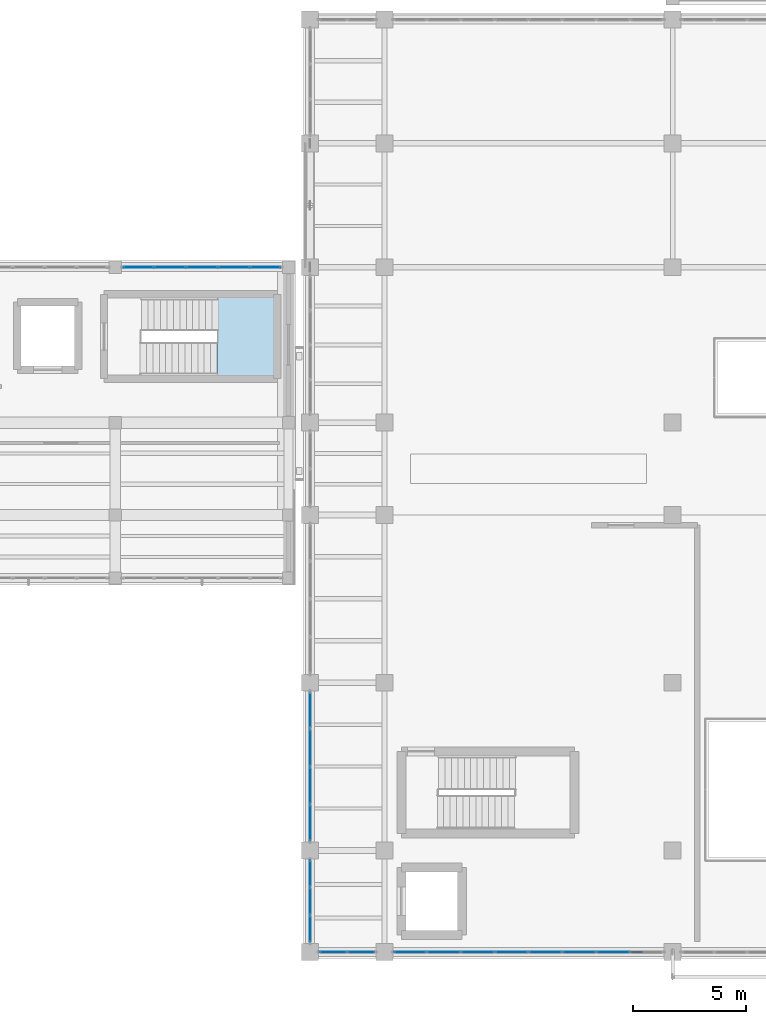
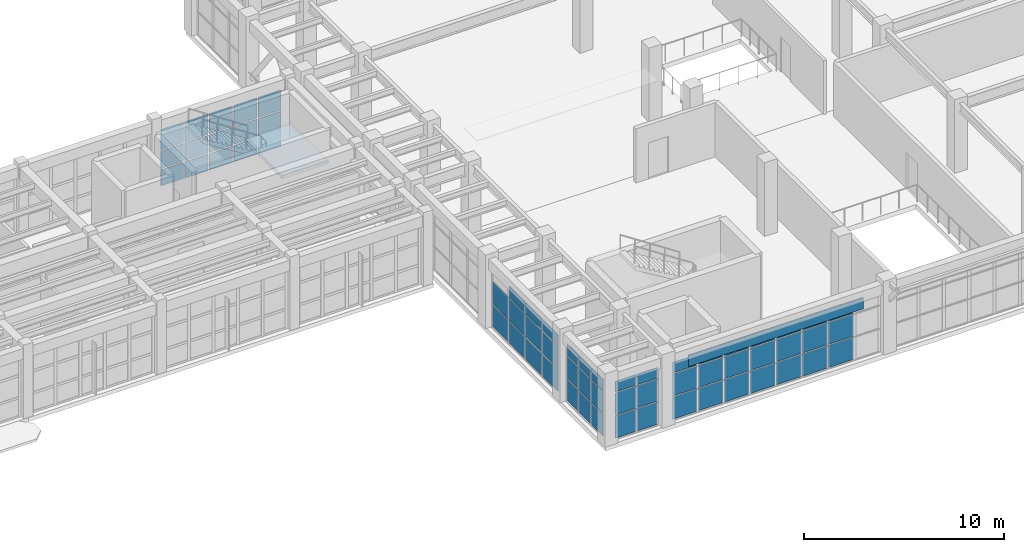
# One storey, part 58 of 85: 63 plates, 1 slab, 6 elements without a shape of their own.
"""IFC4 building model written with IfcOpenShell, lengths in metres."""

from ifc_helpers import new_model, si_unit, direction, frame, origin, origin_2d, place, context, subcontext, project, spatial, polyline, rectangle, outline, extrude, material, layer, layer_set, type_object, element, aggregate, save


model = new_model("IFC4")

# Units and contexts
model_context = context("Model", 3, precision=1e-05, world=origin(), true_north=direction((0.0, 1.0)))
body_context = subcontext(model_context, "Body", "Model", "MODEL_VIEW")
ifc_project = project(units=[si_unit("LENGTHUNIT", "METRE"), si_unit("AREAUNIT", "SQUARE_METRE"), si_unit("VOLUMEUNIT", "CUBIC_METRE"), si_unit("PLANEANGLEUNIT", "RADIAN"), si_unit("MASSUNIT", "GRAM", prefix="KILO")], contexts=[model_context])

# Site, building, storey
site_placement = place(None, origin())
site = spatial("IfcSite", under=ifc_project, at=site_placement, CompositionType="ELEMENT")
building_placement = place(site_placement, origin())
building = spatial("IfcBuilding", under=site, at=building_placement, Name="Candilejo Ridge Gondola Terminal", CompositionType="ELEMENT")
storey_placement = place(building_placement, frame((0.0, 0.0, 4.5)))
storey = spatial("IfcBuildingStorey", under=building, at=storey_placement, Name="L01", CompositionType="ELEMENT", Elevation=4.5)

# Curtain wall, plates
ifc_material_1 = material(Name="Anodised aluminium AA 6063-T6", Category="aluminium")
ifc_layer_1 = layer(ifc_material_1, 0.169921875)
ifc_layer_set_1 = layer_set([ifc_layer_1], Name="ARC-CW-GALLERY-3200-710X359")
curtain_wall_type_1 = type_object("IfcCurtainWallType", Name="ARC-CW-GALLERY-3200-710X359", PredefinedType="NOTDEFINED", material=ifc_layer_set_1)
curtain_wall_1_placement = place(storey_placement, origin())
curtain_wall_1 = element("IfcCurtainWall", 1, at=curtain_wall_1_placement, inside=storey, type_object=curtain_wall_type_1, Name="Curtain wall V3 L01-080", PredefinedType="NOTDEFINED")
ifc_material_2 = material(Name="Low-E laminated double glazing 6+12A+6+1.52PVB+6 mm", Category="glass")
ifc_layer_2 = layer(ifc_material_2, 0.028076171875)
ifc_layer_set_2 = layer_set([ifc_layer_2], Name="ARC-CW-GLAZ-PANEL")
plate_type_1 = type_object("IfcPlateType", Name="ARC-CW-GLAZ-PANEL", PredefinedType="CURTAIN_PANEL", material=ifc_layer_set_2)
plate_1_placement = place(storey_placement, frame((126.27880859375, 36.699951171875, 0.0751953125), z_axis=(0.0, 0.0, 1.0), x_axis=(1.0, 0.0, 0.0)))
plate_1 = element("IfcPlate", 2, at=plate_1_placement, type_object=plate_type_1, Name="CW-71X35 panel 1.1", PredefinedType="CURTAIN_PANEL", context=body_context, shape_type="SweptSolid", body=[
    extrude(rectangle(XDim=1.3076171875, YDim=0.028076171875, at=origin_2d()), origin(), (0.0, 0.0, 1.0), 0.987548828125),
])
plate_2_placement = place(storey_placement, frame((126.27880859375, 36.699951171875, 1.1376953125), z_axis=(0.0, 0.0, 1.0), x_axis=(1.0, 0.0, 0.0)))
plate_2 = element("IfcPlate", 3, at=plate_2_placement, type_object=plate_type_1, Name="CW-71X35 panel 1.2", PredefinedType="CURTAIN_PANEL", context=body_context, shape_type="SweptSolid", body=[
    extrude(rectangle(XDim=1.3076171875, YDim=0.028076171875, at=origin_2d()), origin(), (0.0, 0.0, 1.0), 1.074951171875),
])
plate_3_placement = place(storey_placement, frame((126.27880859375, 36.699951171875, 2.28759765625), z_axis=(0.0, 0.0, 1.0), x_axis=(1.0, 0.0, 0.0)))
plate_3 = element("IfcPlate", 4, at=plate_3_placement, type_object=plate_type_1, Name="CW-71X35 panel 1.3", PredefinedType="CURTAIN_PANEL", context=body_context, shape_type="SweptSolid", body=[
    extrude(rectangle(XDim=1.3076171875, YDim=0.028076171875, at=origin_2d()), origin(), (0.0, 0.0, 1.0), 1.2275390625),
])
plate_4_placement = place(storey_placement, frame((127.679931640625, 36.699951171875, 0.0751953125), z_axis=(0.0, 0.0, 1.0), x_axis=(1.0, 0.0, 0.0)))
plate_4 = element("IfcPlate", 5, at=plate_4_placement, type_object=plate_type_1, Name="CW-71X35 panel 2.1", PredefinedType="CURTAIN_PANEL", context=body_context, shape_type="SweptSolid", body=[
    extrude(rectangle(XDim=1.344970703125, YDim=0.028076171875, at=origin_2d()), origin(), (0.0, 0.0, 1.0), 0.987548828125),
])
plate_5_placement = place(storey_placement, frame((127.679931640625, 36.699951171875, 1.1376953125), z_axis=(0.0, 0.0, 1.0), x_axis=(1.0, 0.0, 0.0)))
plate_5 = element("IfcPlate", 6, at=plate_5_placement, type_object=plate_type_1, Name="CW-71X35 panel 2.2", PredefinedType="CURTAIN_PANEL", context=body_context, shape_type="SweptSolid", body=[
    extrude(rectangle(XDim=1.344970703125, YDim=0.028076171875, at=origin_2d()), origin(), (0.0, 0.0, 1.0), 1.074951171875),
])
plate_6_placement = place(storey_placement, frame((127.679931640625, 36.699951171875, 2.28759765625), z_axis=(0.0, 0.0, 1.0), x_axis=(1.0, 0.0, 0.0)))
plate_6 = element("IfcPlate", 7, at=plate_6_placement, type_object=plate_type_1, Name="CW-71X35 panel 2.3", PredefinedType="CURTAIN_PANEL", context=body_context, shape_type="SweptSolid", body=[
    extrude(rectangle(XDim=1.344970703125, YDim=0.028076171875, at=origin_2d()), origin(), (0.0, 0.0, 1.0), 1.2275390625),
])
plate_7_placement = place(storey_placement, frame((129.10009765625, 36.699951171875, 0.0751953125), z_axis=(0.0, 0.0, 1.0), x_axis=(1.0, 0.0, 0.0)))
plate_7 = element("IfcPlate", 8, at=plate_7_placement, type_object=plate_type_1, Name="CW-71X35 panel 3.1", PredefinedType="CURTAIN_PANEL", context=body_context, shape_type="SweptSolid", body=[
    extrude(rectangle(XDim=1.344970703125, YDim=0.028076171875, at=origin_2d()), origin(), (0.0, 0.0, 1.0), 0.987548828125),
])
plate_8_placement = place(storey_placement, frame((129.10009765625, 36.699951171875, 1.1376953125), z_axis=(0.0, 0.0, 1.0), x_axis=(1.0, 0.0, 0.0)))
plate_8 = element("IfcPlate", 9, at=plate_8_placement, type_object=plate_type_1, Name="CW-71X35 panel 3.2", PredefinedType="CURTAIN_PANEL", context=body_context, shape_type="SweptSolid", body=[
    extrude(rectangle(XDim=1.344970703125, YDim=0.028076171875, at=origin_2d()), origin(), (0.0, 0.0, 1.0), 1.074951171875),
])
plate_9_placement = place(storey_placement, frame((129.10009765625, 36.699951171875, 2.28759765625), z_axis=(0.0, 0.0, 1.0), x_axis=(1.0, 0.0, 0.0)))
plate_9 = element("IfcPlate", 10, at=plate_9_placement, type_object=plate_type_1, Name="CW-71X35 panel 3.3", PredefinedType="CURTAIN_PANEL", context=body_context, shape_type="SweptSolid", body=[
    extrude(rectangle(XDim=1.344970703125, YDim=0.028076171875, at=origin_2d()), origin(), (0.0, 0.0, 1.0), 1.2275390625),
])
plate_10_placement = place(storey_placement, frame((130.52001953125, 36.699951171875, 0.0751953125), z_axis=(0.0, 0.0, 1.0), x_axis=(1.0, 0.0, 0.0)))
plate_10 = element("IfcPlate", 11, at=plate_10_placement, type_object=plate_type_1, Name="CW-71X35 panel 4.1", PredefinedType="CURTAIN_PANEL", context=body_context, shape_type="SweptSolid", body=[
    extrude(rectangle(XDim=1.344970703125, YDim=0.028076171875, at=origin_2d()), origin(), (0.0, 0.0, 1.0), 0.987548828125),
])
plate_11_placement = place(storey_placement, frame((130.52001953125, 36.699951171875, 1.1376953125), z_axis=(0.0, 0.0, 1.0), x_axis=(1.0, 0.0, 0.0)))
plate_11 = element("IfcPlate", 12, at=plate_11_placement, type_object=plate_type_1, Name="CW-71X35 panel 4.2", PredefinedType="CURTAIN_PANEL", context=body_context, shape_type="SweptSolid", body=[
    extrude(rectangle(XDim=1.344970703125, YDim=0.028076171875, at=origin_2d()), origin(), (0.0, 0.0, 1.0), 1.074951171875),
])
plate_12_placement = place(storey_placement, frame((130.52001953125, 36.699951171875, 2.28759765625), z_axis=(0.0, 0.0, 1.0), x_axis=(1.0, 0.0, 0.0)))
plate_12 = element("IfcPlate", 13, at=plate_12_placement, type_object=plate_type_1, Name="CW-71X35 panel 4.3", PredefinedType="CURTAIN_PANEL", context=body_context, shape_type="SweptSolid", body=[
    extrude(rectangle(XDim=1.344970703125, YDim=0.028076171875, at=origin_2d()), origin(), (0.0, 0.0, 1.0), 1.2275390625),
])
plate_13_placement = place(storey_placement, frame((131.921142578125, 36.699951171875, 0.0751953125), z_axis=(0.0, 0.0, 1.0), x_axis=(1.0, 0.0, 0.0)))
plate_13 = element("IfcPlate", 14, at=plate_13_placement, type_object=plate_type_1, Name="CW-71X35 panel 5.1", PredefinedType="CURTAIN_PANEL", context=body_context, shape_type="SweptSolid", body=[
    extrude(rectangle(XDim=1.3076171875, YDim=0.028076171875, at=origin_2d()), origin(), (0.0, 0.0, 1.0), 0.987548828125),
])
plate_14_placement = place(storey_placement, frame((131.921142578125, 36.699951171875, 1.1376953125), z_axis=(0.0, 0.0, 1.0), x_axis=(1.0, 0.0, 0.0)))
plate_14 = element("IfcPlate", 15, at=plate_14_placement, type_object=plate_type_1, Name="CW-71X35 panel 5.2", PredefinedType="CURTAIN_PANEL", context=body_context, shape_type="SweptSolid", body=[
    extrude(rectangle(XDim=1.3076171875, YDim=0.028076171875, at=origin_2d()), origin(), (0.0, 0.0, 1.0), 1.074951171875),
])
plate_15_placement = place(storey_placement, frame((131.921142578125, 36.699951171875, 2.28759765625), z_axis=(0.0, 0.0, 1.0), x_axis=(1.0, 0.0, 0.0)))
plate_15 = element("IfcPlate", 16, at=plate_15_placement, type_object=plate_type_1, Name="CW-71X35 panel 5.3", PredefinedType="CURTAIN_PANEL", context=body_context, shape_type="SweptSolid", body=[
    extrude(rectangle(XDim=1.3076171875, YDim=0.028076171875, at=origin_2d()), origin(), (0.0, 0.0, 1.0), 1.2275390625),
])
aggregate(curtain_wall_1, [plate_1, plate_2, plate_3, plate_4, plate_5, plate_6, plate_7, plate_8, plate_9, plate_10, plate_11, plate_12, plate_13, plate_14, plate_15])

ifc_material_3 = material(Name="Anodised aluminium AA 6063-T6", Category="aluminium")
ifc_layer_3 = layer(ifc_material_3, 0.169921875)
ifc_layer_set_3 = layer_set([ifc_layer_3], Name="ARC-CW-HALL-3800-375X359")
curtain_wall_type_2 = type_object("IfcCurtainWallType", Name="ARC-CW-HALL-3800-375X359", PredefinedType="NOTDEFINED", material=ifc_layer_set_3)
curtain_wall_2_placement = place(storey_placement, origin())
curtain_wall_2 = element("IfcCurtainWall", 17, at=curtain_wall_2_placement, inside=storey, type_object=curtain_wall_type_2, Name="Curtain wall V4 L01-110", PredefinedType="NOTDEFINED")
plate_16_placement = place(storey_placement, frame((133.89990234375, 7.316162109375, 0.06005859375), z_axis=(0.0, 0.0, 1.0), x_axis=(0.0, 1.0, 0.0)))
plate_16 = element("IfcPlate", 18, at=plate_16_placement, type_object=plate_type_1, Name="CW-37X35 panel 1.1", PredefinedType="CURTAIN_PANEL", context=body_context, shape_type="SweptSolid", body=[
    extrude(rectangle(XDim=1.152587890625, YDim=0.028076171875, at=origin_2d()), origin(), (0.0, 0.0, 1.0), 1.360107421875),
])
plate_17_placement = place(storey_placement, frame((133.89990234375, 7.316162109375, 1.47998046875), z_axis=(0.0, 0.0, 1.0), x_axis=(0.0, 1.0, 0.0)))
plate_17 = element("IfcPlate", 19, at=plate_17_placement, type_object=plate_type_1, Name="CW-37X35 panel 1.2", PredefinedType="CURTAIN_PANEL", context=body_context, shape_type="SweptSolid", body=[
    extrude(rectangle(XDim=1.152587890625, YDim=0.028076171875, at=origin_2d()), origin(), (0.0, 0.0, 1.0), 1.340087890625),
])
plate_18_placement = place(storey_placement, frame((133.89990234375, 7.316162109375, 2.880126953125), z_axis=(0.0, 0.0, 1.0), x_axis=(0.0, 1.0, 0.0)))
plate_18 = element("IfcPlate", 20, at=plate_18_placement, type_object=plate_type_1, Name="CW-37X35 panel 1.3", PredefinedType="CURTAIN_PANEL", context=body_context, shape_type="SweptSolid", body=[
    extrude(rectangle(XDim=1.152587890625, YDim=0.028076171875, at=origin_2d()), origin(), (0.0, 0.0, 1.0), 0.64990234375),
])
plate_19_placement = place(storey_placement, frame((133.89990234375, 8.550048828125, 0.06005859375), z_axis=(0.0, 0.0, 1.0), x_axis=(0.0, 1.0, 0.0)))
plate_19 = element("IfcPlate", 21, at=plate_19_placement, type_object=plate_type_1, Name="CW-37X35 panel 2.1", PredefinedType="CURTAIN_PANEL", context=body_context, shape_type="SweptSolid", body=[
    extrude(rectangle(XDim=1.18505859375, YDim=0.028076171875, at=origin_2d()), origin(), (0.0, 0.0, 1.0), 1.360107421875),
])
plate_20_placement = place(storey_placement, frame((133.89990234375, 8.550048828125, 1.47998046875), z_axis=(0.0, 0.0, 1.0), x_axis=(0.0, 1.0, 0.0)))
plate_20 = element("IfcPlate", 22, at=plate_20_placement, type_object=plate_type_1, Name="CW-37X35 panel 2.2", PredefinedType="CURTAIN_PANEL", context=body_context, shape_type="SweptSolid", body=[
    extrude(rectangle(XDim=1.18505859375, YDim=0.028076171875, at=origin_2d()), origin(), (0.0, 0.0, 1.0), 1.340087890625),
])
plate_21_placement = place(storey_placement, frame((133.89990234375, 8.550048828125, 2.880126953125), z_axis=(0.0, 0.0, 1.0), x_axis=(0.0, 1.0, 0.0)))
plate_21 = element("IfcPlate", 23, at=plate_21_placement, type_object=plate_type_1, Name="CW-37X35 panel 2.3", PredefinedType="CURTAIN_PANEL", context=body_context, shape_type="SweptSolid", body=[
    extrude(rectangle(XDim=1.18505859375, YDim=0.028076171875, at=origin_2d()), origin(), (0.0, 0.0, 1.0), 0.64990234375),
])
plate_22_placement = place(storey_placement, frame((133.89990234375, 9.78369140625, 0.06005859375), z_axis=(0.0, 0.0, 1.0), x_axis=(0.0, 1.0, 0.0)))
plate_22 = element("IfcPlate", 24, at=plate_22_placement, type_object=plate_type_1, Name="CW-37X35 panel 3.1", PredefinedType="CURTAIN_PANEL", context=body_context, shape_type="SweptSolid", body=[
    extrude(rectangle(XDim=1.152587890625, YDim=0.028076171875, at=origin_2d()), origin(), (0.0, 0.0, 1.0), 1.360107421875),
])
plate_23_placement = place(storey_placement, frame((133.89990234375, 9.78369140625, 1.47998046875), z_axis=(0.0, 0.0, 1.0), x_axis=(0.0, 1.0, 0.0)))
plate_23 = element("IfcPlate", 25, at=plate_23_placement, type_object=plate_type_1, Name="CW-37X35 panel 3.2", PredefinedType="CURTAIN_PANEL", context=body_context, shape_type="SweptSolid", body=[
    extrude(rectangle(XDim=1.152587890625, YDim=0.028076171875, at=origin_2d()), origin(), (0.0, 0.0, 1.0), 1.340087890625),
])
plate_24_placement = place(storey_placement, frame((133.89990234375, 9.78369140625, 2.880126953125), z_axis=(0.0, 0.0, 1.0), x_axis=(0.0, 1.0, 0.0)))
plate_24 = element("IfcPlate", 26, at=plate_24_placement, type_object=plate_type_1, Name="CW-37X35 panel 3.3", PredefinedType="CURTAIN_PANEL", context=body_context, shape_type="SweptSolid", body=[
    extrude(rectangle(XDim=1.152587890625, YDim=0.028076171875, at=origin_2d()), origin(), (0.0, 0.0, 1.0), 0.64990234375),
])
aggregate(curtain_wall_2, [plate_16, plate_17, plate_18, plate_19, plate_20, plate_21, plate_22, plate_23, plate_24])

ifc_material_4 = material(Name="Anodised aluminium AA 6063-T6", Category="aluminium")
ifc_layer_4 = layer(ifc_material_4, 0.169921875)
ifc_layer_set_4 = layer_set([ifc_layer_4], Name="ARC-CW-HALL-3800-670X359")
curtain_wall_type_3 = type_object("IfcCurtainWallType", Name="ARC-CW-HALL-3800-670X359", PredefinedType="NOTDEFINED", material=ifc_layer_set_4)
curtain_wall_3_placement = place(storey_placement, origin())
curtain_wall_3 = element("IfcCurtainWall", 27, at=curtain_wall_3_placement, inside=storey, type_object=curtain_wall_type_3, Name="Curtain wall V4 L01-112", PredefinedType="NOTDEFINED")
plate_25_placement = place(storey_placement, frame((133.89990234375, 12.02880859375, 0.06005859375), z_axis=(0.0, 0.0, 1.0), x_axis=(0.0, 1.0, 0.0)))
plate_25 = element("IfcPlate", 28, at=plate_25_placement, type_object=plate_type_1, Name="CW-67X35 panel 1.1", PredefinedType="CURTAIN_PANEL", context=body_context, shape_type="SweptSolid", body=[
    extrude(rectangle(XDim=1.577392578125, YDim=0.028076171875, at=origin_2d()), origin(), (0.0, 0.0, 1.0), 1.360107421875),
])
plate_26_placement = place(storey_placement, frame((133.89990234375, 12.02880859375, 1.47998046875), z_axis=(0.0, 0.0, 1.0), x_axis=(0.0, 1.0, 0.0)))
plate_26 = element("IfcPlate", 29, at=plate_26_placement, type_object=plate_type_1, Name="CW-67X35 panel 1.2", PredefinedType="CURTAIN_PANEL", context=body_context, shape_type="SweptSolid", body=[
    extrude(rectangle(XDim=1.577392578125, YDim=0.028076171875, at=origin_2d()), origin(), (0.0, 0.0, 1.0), 1.340087890625),
])
plate_27_placement = place(storey_placement, frame((133.89990234375, 12.02880859375, 2.880126953125), z_axis=(0.0, 0.0, 1.0), x_axis=(0.0, 1.0, 0.0)))
plate_27 = element("IfcPlate", 30, at=plate_27_placement, type_object=plate_type_1, Name="CW-67X35 panel 1.3", PredefinedType="CURTAIN_PANEL", context=body_context, shape_type="SweptSolid", body=[
    extrude(rectangle(XDim=1.577392578125, YDim=0.028076171875, at=origin_2d()), origin(), (0.0, 0.0, 1.0), 0.64990234375),
])
plate_28_placement = place(storey_placement, frame((133.89990234375, 13.6875, 0.06005859375), z_axis=(0.0, 0.0, 1.0), x_axis=(0.0, 1.0, 0.0)))
plate_28 = element("IfcPlate", 31, at=plate_28_placement, type_object=plate_type_1, Name="CW-67X35 panel 2.1", PredefinedType="CURTAIN_PANEL", context=body_context, shape_type="SweptSolid", body=[
    extrude(rectangle(XDim=1.610107421875, YDim=0.028076171875, at=origin_2d()), origin(), (0.0, 0.0, 1.0), 1.360107421875),
])
plate_29_placement = place(storey_placement, frame((133.89990234375, 13.6875, 1.47998046875), z_axis=(0.0, 0.0, 1.0), x_axis=(0.0, 1.0, 0.0)))
plate_29 = element("IfcPlate", 32, at=plate_29_placement, type_object=plate_type_1, Name="CW-67X35 panel 2.2", PredefinedType="CURTAIN_PANEL", context=body_context, shape_type="SweptSolid", body=[
    extrude(rectangle(XDim=1.610107421875, YDim=0.028076171875, at=origin_2d()), origin(), (0.0, 0.0, 1.0), 1.340087890625),
])
plate_30_placement = place(storey_placement, frame((133.89990234375, 13.6875, 2.880126953125), z_axis=(0.0, 0.0, 1.0), x_axis=(0.0, 1.0, 0.0)))
plate_30 = element("IfcPlate", 33, at=plate_30_placement, type_object=plate_type_1, Name="CW-67X35 panel 2.3", PredefinedType="CURTAIN_PANEL", context=body_context, shape_type="SweptSolid", body=[
    extrude(rectangle(XDim=1.610107421875, YDim=0.028076171875, at=origin_2d()), origin(), (0.0, 0.0, 1.0), 0.64990234375),
])
plate_31_placement = place(storey_placement, frame((133.89990234375, 15.362548828125, 0.06005859375), z_axis=(0.0, 0.0, 1.0), x_axis=(0.0, 1.0, 0.0)))
plate_31 = element("IfcPlate", 34, at=plate_31_placement, type_object=plate_type_1, Name="CW-67X35 panel 3.1", PredefinedType="CURTAIN_PANEL", context=body_context, shape_type="SweptSolid", body=[
    extrude(rectangle(XDim=1.610107421875, YDim=0.028076171875, at=origin_2d()), origin(), (0.0, 0.0, 1.0), 1.360107421875),
])
plate_32_placement = place(storey_placement, frame((133.89990234375, 15.362548828125, 1.47998046875), z_axis=(0.0, 0.0, 1.0), x_axis=(0.0, 1.0, 0.0)))
plate_32 = element("IfcPlate", 35, at=plate_32_placement, type_object=plate_type_1, Name="CW-67X35 panel 3.2", PredefinedType="CURTAIN_PANEL", context=body_context, shape_type="SweptSolid", body=[
    extrude(rectangle(XDim=1.610107421875, YDim=0.028076171875, at=origin_2d()), origin(), (0.0, 0.0, 1.0), 1.340087890625),
])
plate_33_placement = place(storey_placement, frame((133.89990234375, 15.362548828125, 2.880126953125), z_axis=(0.0, 0.0, 1.0), x_axis=(0.0, 1.0, 0.0)))
plate_33 = element("IfcPlate", 36, at=plate_33_placement, type_object=plate_type_1, Name="CW-67X35 panel 3.3", PredefinedType="CURTAIN_PANEL", context=body_context, shape_type="SweptSolid", body=[
    extrude(rectangle(XDim=1.610107421875, YDim=0.028076171875, at=origin_2d()), origin(), (0.0, 0.0, 1.0), 0.64990234375),
])
plate_34_placement = place(storey_placement, frame((133.89990234375, 17.021240234375, 0.06005859375), z_axis=(0.0, 0.0, 1.0), x_axis=(0.0, 1.0, 0.0)))
plate_34 = element("IfcPlate", 37, at=plate_34_placement, type_object=plate_type_1, Name="CW-67X35 panel 4.1", PredefinedType="CURTAIN_PANEL", context=body_context, shape_type="SweptSolid", body=[
    extrude(rectangle(XDim=1.577392578125, YDim=0.028076171875, at=origin_2d()), origin(), (0.0, 0.0, 1.0), 1.360107421875),
])
plate_35_placement = place(storey_placement, frame((133.89990234375, 17.021240234375, 1.47998046875), z_axis=(0.0, 0.0, 1.0), x_axis=(0.0, 1.0, 0.0)))
plate_35 = element("IfcPlate", 38, at=plate_35_placement, type_object=plate_type_1, Name="CW-67X35 panel 4.2", PredefinedType="CURTAIN_PANEL", context=body_context, shape_type="SweptSolid", body=[
    extrude(rectangle(XDim=1.577392578125, YDim=0.028076171875, at=origin_2d()), origin(), (0.0, 0.0, 1.0), 1.340087890625),
])
aggregate(curtain_wall_3, [plate_25, plate_26, plate_27, plate_28, plate_29, plate_30, plate_31, plate_32, plate_33, plate_34, plate_35])

ifc_material_5 = material(Name="Anodised aluminium AA 6063-T6", Category="aluminium")
ifc_layer_5 = layer(ifc_material_5, 0.169921875)
ifc_layer_set_5 = layer_set([ifc_layer_5], Name="ARC-CW-HALL-3800-255X359")
curtain_wall_type_4 = type_object("IfcCurtainWallType", Name="ARC-CW-HALL-3800-255X359", PredefinedType="NOTDEFINED", material=ifc_layer_set_5)
curtain_wall_4_placement = place(storey_placement, origin())
curtain_wall_4 = element("IfcCurtainWall", 39, at=curtain_wall_4_placement, inside=storey, type_object=curtain_wall_type_4, Name="Curtain wall V4 L01-122", PredefinedType="NOTDEFINED")
plate_36_placement = place(storey_placement, frame((134.9287109375, 6.300048828125, 0.06005859375), z_axis=(0.0, 0.0, 1.0), x_axis=(1.0, 0.0, 0.0)))
plate_36 = element("IfcPlate", 40, at=plate_36_placement, type_object=plate_type_1, Name="CW-25X35 panel 1.1", PredefinedType="CURTAIN_PANEL", context=body_context, shape_type="SweptSolid", body=[
    extrude(rectangle(XDim=1.177490234375, YDim=0.028076171875, at=origin_2d()), origin(), (0.0, 0.0, 1.0), 1.360107421875),
])
plate_37_placement = place(storey_placement, frame((134.9287109375, 6.300048828125, 1.47998046875), z_axis=(0.0, 0.0, 1.0), x_axis=(1.0, 0.0, 0.0)))
plate_37 = element("IfcPlate", 41, at=plate_37_placement, type_object=plate_type_1, Name="CW-25X35 panel 1.2", PredefinedType="CURTAIN_PANEL", context=body_context, shape_type="SweptSolid", body=[
    extrude(rectangle(XDim=1.177490234375, YDim=0.028076171875, at=origin_2d()), origin(), (0.0, 0.0, 1.0), 1.340087890625),
])
plate_38_placement = place(storey_placement, frame((134.9287109375, 6.300048828125, 2.880126953125), z_axis=(0.0, 0.0, 1.0), x_axis=(1.0, 0.0, 0.0)))
plate_38 = element("IfcPlate", 42, at=plate_38_placement, type_object=plate_type_1, Name="CW-25X35 panel 1.3", PredefinedType="CURTAIN_PANEL", context=body_context, shape_type="SweptSolid", body=[
    extrude(rectangle(XDim=1.177490234375, YDim=0.028076171875, at=origin_2d()), origin(), (0.0, 0.0, 1.0), 0.64990234375),
])
plate_39_placement = place(storey_placement, frame((136.171142578125, 6.300048828125, 0.06005859375), z_axis=(0.0, 0.0, 1.0), x_axis=(1.0, 0.0, 0.0)))
plate_39 = element("IfcPlate", 43, at=plate_39_placement, type_object=plate_type_1, Name="CW-25X35 panel 2.1", PredefinedType="CURTAIN_PANEL", context=body_context, shape_type="SweptSolid", body=[
    extrude(rectangle(XDim=1.177490234375, YDim=0.028076171875, at=origin_2d()), origin(), (0.0, 0.0, 1.0), 1.360107421875),
])
plate_40_placement = place(storey_placement, frame((136.171142578125, 6.300048828125, 1.47998046875), z_axis=(0.0, 0.0, 1.0), x_axis=(1.0, 0.0, 0.0)))
plate_40 = element("IfcPlate", 44, at=plate_40_placement, type_object=plate_type_1, Name="CW-25X35 panel 2.2", PredefinedType="CURTAIN_PANEL", context=body_context, shape_type="SweptSolid", body=[
    extrude(rectangle(XDim=1.177490234375, YDim=0.028076171875, at=origin_2d()), origin(), (0.0, 0.0, 1.0), 1.340087890625),
])
plate_41_placement = place(storey_placement, frame((136.171142578125, 6.300048828125, 2.880126953125), z_axis=(0.0, 0.0, 1.0), x_axis=(1.0, 0.0, 0.0)))
plate_41 = element("IfcPlate", 45, at=plate_41_placement, type_object=plate_type_1, Name="CW-25X35 panel 2.3", PredefinedType="CURTAIN_PANEL", context=body_context, shape_type="SweptSolid", body=[
    extrude(rectangle(XDim=1.177490234375, YDim=0.028076171875, at=origin_2d()), origin(), (0.0, 0.0, 1.0), 0.64990234375),
])
aggregate(curtain_wall_4, [plate_36, plate_37, plate_38, plate_39, plate_40, plate_41])

ifc_material_6 = material(Name="Anodised aluminium AA 6063-T6", Category="aluminium")
ifc_layer_6 = layer(ifc_material_6, 0.169921875)
ifc_layer_set_6 = layer_set([ifc_layer_6], Name="ARC-CW-HALL-3800-1205X359")
curtain_wall_type_5 = type_object("IfcCurtainWallType", Name="ARC-CW-HALL-3800-1205X359", PredefinedType="NOTDEFINED", material=ifc_layer_set_6)
curtain_wall_5_placement = place(storey_placement, origin())
curtain_wall_5 = element("IfcCurtainWall", 46, at=curtain_wall_5_placement, inside=storey, type_object=curtain_wall_type_5, Name="Curtain wall V4 L01-124", PredefinedType="NOTDEFINED")
plate_42_placement = place(storey_placement, frame((138.344482421875, 6.300048828125, 0.06005859375), z_axis=(0.0, 0.0, 1.0), x_axis=(1.0, 0.0, 0.0)))
plate_42 = element("IfcPlate", 47, at=plate_42_placement, type_object=plate_type_1, Name="CW-120X35 panel 1.1", PredefinedType="CURTAIN_PANEL", context=body_context, shape_type="SweptSolid", body=[
    extrude(rectangle(XDim=1.40869140625, YDim=0.028076171875, at=origin_2d()), origin(), (0.0, 0.0, 1.0), 1.360107421875),
])
plate_43_placement = place(storey_placement, frame((138.344482421875, 6.300048828125, 1.47998046875), z_axis=(0.0, 0.0, 1.0), x_axis=(1.0, 0.0, 0.0)))
plate_43 = element("IfcPlate", 48, at=plate_43_placement, type_object=plate_type_1, Name="CW-120X35 panel 1.2", PredefinedType="CURTAIN_PANEL", context=body_context, shape_type="SweptSolid", body=[
    extrude(rectangle(XDim=1.40869140625, YDim=0.028076171875, at=origin_2d()), origin(), (0.0, 0.0, 1.0), 1.340087890625),
])
plate_44_placement = place(storey_placement, frame((138.344482421875, 6.300048828125, 2.880126953125), z_axis=(0.0, 0.0, 1.0), x_axis=(1.0, 0.0, 0.0)))
plate_44 = element("IfcPlate", 49, at=plate_44_placement, type_object=plate_type_1, Name="CW-120X35 panel 1.3", PredefinedType="CURTAIN_PANEL", context=body_context, shape_type="SweptSolid", body=[
    extrude(rectangle(XDim=1.40869140625, YDim=0.028076171875, at=origin_2d()), origin(), (0.0, 0.0, 1.0), 0.64990234375),
])
plate_45_placement = place(storey_placement, frame((139.83447265625, 6.300048828125, 0.06005859375), z_axis=(0.0, 0.0, 1.0), x_axis=(1.0, 0.0, 0.0)))
plate_45 = element("IfcPlate", 50, at=plate_45_placement, type_object=plate_type_1, Name="CW-120X35 panel 2.1", PredefinedType="CURTAIN_PANEL", context=body_context, shape_type="SweptSolid", body=[
    extrude(rectangle(XDim=1.441162109375, YDim=0.028076171875, at=origin_2d()), origin(), (0.0, 0.0, 1.0), 1.360107421875),
])
plate_46_placement = place(storey_placement, frame((139.83447265625, 6.300048828125, 1.47998046875), z_axis=(0.0, 0.0, 1.0), x_axis=(1.0, 0.0, 0.0)))
plate_46 = element("IfcPlate", 51, at=plate_46_placement, type_object=plate_type_1, Name="CW-120X35 panel 2.2", PredefinedType="CURTAIN_PANEL", context=body_context, shape_type="SweptSolid", body=[
    extrude(rectangle(XDim=1.441162109375, YDim=0.028076171875, at=origin_2d()), origin(), (0.0, 0.0, 1.0), 1.340087890625),
])
plate_47_placement = place(storey_placement, frame((139.83447265625, 6.300048828125, 2.880126953125), z_axis=(0.0, 0.0, 1.0), x_axis=(1.0, 0.0, 0.0)))
plate_47 = element("IfcPlate", 52, at=plate_47_placement, type_object=plate_type_1, Name="CW-120X35 panel 2.3", PredefinedType="CURTAIN_PANEL", context=body_context, shape_type="SweptSolid", body=[
    extrude(rectangle(XDim=1.441162109375, YDim=0.028076171875, at=origin_2d()), origin(), (0.0, 0.0, 1.0), 0.64990234375),
])
plate_48_placement = place(storey_placement, frame((141.340576171875, 6.300048828125, 0.06005859375), z_axis=(0.0, 0.0, 1.0), x_axis=(1.0, 0.0, 0.0)))
plate_48 = element("IfcPlate", 53, at=plate_48_placement, type_object=plate_type_1, Name="CW-120X35 panel 3.1", PredefinedType="CURTAIN_PANEL", context=body_context, shape_type="SweptSolid", body=[
    extrude(rectangle(XDim=1.441162109375, YDim=0.028076171875, at=origin_2d()), origin(), (0.0, 0.0, 1.0), 1.360107421875),
])
plate_49_placement = place(storey_placement, frame((141.340576171875, 6.300048828125, 1.47998046875), z_axis=(0.0, 0.0, 1.0), x_axis=(1.0, 0.0, 0.0)))
plate_49 = element("IfcPlate", 54, at=plate_49_placement, type_object=plate_type_1, Name="CW-120X35 panel 3.2", PredefinedType="CURTAIN_PANEL", context=body_context, shape_type="SweptSolid", body=[
    extrude(rectangle(XDim=1.441162109375, YDim=0.028076171875, at=origin_2d()), origin(), (0.0, 0.0, 1.0), 1.340087890625),
])
plate_50_placement = place(storey_placement, frame((141.340576171875, 6.300048828125, 2.880126953125), z_axis=(0.0, 0.0, 1.0), x_axis=(1.0, 0.0, 0.0)))
plate_50 = element("IfcPlate", 55, at=plate_50_placement, type_object=plate_type_1, Name="CW-120X35 panel 3.3", PredefinedType="CURTAIN_PANEL", context=body_context, shape_type="SweptSolid", body=[
    extrude(rectangle(XDim=1.441162109375, YDim=0.028076171875, at=origin_2d()), origin(), (0.0, 0.0, 1.0), 0.64990234375),
])
plate_51_placement = place(storey_placement, frame((142.846923828125, 6.300048828125, 0.06005859375), z_axis=(0.0, 0.0, 1.0), x_axis=(1.0, 0.0, 0.0)))
plate_51 = element("IfcPlate", 56, at=plate_51_placement, type_object=plate_type_1, Name="CW-120X35 panel 4.1", PredefinedType="CURTAIN_PANEL", context=body_context, shape_type="SweptSolid", body=[
    extrude(rectangle(XDim=1.441162109375, YDim=0.028076171875, at=origin_2d()), origin(), (0.0, 0.0, 1.0), 1.360107421875),
])
plate_52_placement = place(storey_placement, frame((142.846923828125, 6.300048828125, 1.47998046875), z_axis=(0.0, 0.0, 1.0), x_axis=(1.0, 0.0, 0.0)))
plate_52 = element("IfcPlate", 57, at=plate_52_placement, type_object=plate_type_1, Name="CW-120X35 panel 4.2", PredefinedType="CURTAIN_PANEL", context=body_context, shape_type="SweptSolid", body=[
    extrude(rectangle(XDim=1.441162109375, YDim=0.028076171875, at=origin_2d()), origin(), (0.0, 0.0, 1.0), 1.340087890625),
])
plate_53_placement = place(storey_placement, frame((142.846923828125, 6.300048828125, 2.880126953125), z_axis=(0.0, 0.0, 1.0), x_axis=(1.0, 0.0, 0.0)))
plate_53 = element("IfcPlate", 58, at=plate_53_placement, type_object=plate_type_1, Name="CW-120X35 panel 4.3", PredefinedType="CURTAIN_PANEL", context=body_context, shape_type="SweptSolid", body=[
    extrude(rectangle(XDim=1.441162109375, YDim=0.028076171875, at=origin_2d()), origin(), (0.0, 0.0, 1.0), 0.64990234375),
])
plate_54_placement = place(storey_placement, frame((144.35302734375, 6.300048828125, 0.06005859375), z_axis=(0.0, 0.0, 1.0), x_axis=(1.0, 0.0, 0.0)))
plate_54 = element("IfcPlate", 59, at=plate_54_placement, type_object=plate_type_1, Name="CW-120X35 panel 5.1", PredefinedType="CURTAIN_PANEL", context=body_context, shape_type="SweptSolid", body=[
    extrude(rectangle(XDim=1.441162109375, YDim=0.028076171875, at=origin_2d()), origin(), (0.0, 0.0, 1.0), 1.360107421875),
])
plate_55_placement = place(storey_placement, frame((144.35302734375, 6.300048828125, 1.47998046875), z_axis=(0.0, 0.0, 1.0), x_axis=(1.0, 0.0, 0.0)))
plate_55 = element("IfcPlate", 60, at=plate_55_placement, type_object=plate_type_1, Name="CW-120X35 panel 5.2", PredefinedType="CURTAIN_PANEL", context=body_context, shape_type="SweptSolid", body=[
    extrude(rectangle(XDim=1.441162109375, YDim=0.028076171875, at=origin_2d()), origin(), (0.0, 0.0, 1.0), 1.340087890625),
])
plate_56_placement = place(storey_placement, frame((144.35302734375, 6.300048828125, 2.880126953125), z_axis=(0.0, 0.0, 1.0), x_axis=(1.0, 0.0, 0.0)))
plate_56 = element("IfcPlate", 61, at=plate_56_placement, type_object=plate_type_1, Name="CW-120X35 panel 5.3", PredefinedType="CURTAIN_PANEL", context=body_context, shape_type="SweptSolid", body=[
    extrude(rectangle(XDim=1.441162109375, YDim=0.028076171875, at=origin_2d()), origin(), (0.0, 0.0, 1.0), 0.64990234375),
])
plate_57_placement = place(storey_placement, frame((145.859375, 6.300048828125, 0.06005859375), z_axis=(0.0, 0.0, 1.0), x_axis=(1.0, 0.0, 0.0)))
plate_57 = element("IfcPlate", 62, at=plate_57_placement, type_object=plate_type_1, Name="CW-120X35 panel 6.1", PredefinedType="CURTAIN_PANEL", context=body_context, shape_type="SweptSolid", body=[
    extrude(rectangle(XDim=1.441162109375, YDim=0.028076171875, at=origin_2d()), origin(), (0.0, 0.0, 1.0), 1.360107421875),
])
plate_58_placement = place(storey_placement, frame((145.859375, 6.300048828125, 1.47998046875), z_axis=(0.0, 0.0, 1.0), x_axis=(1.0, 0.0, 0.0)))
plate_58 = element("IfcPlate", 63, at=plate_58_placement, type_object=plate_type_1, Name="CW-120X35 panel 6.2", PredefinedType="CURTAIN_PANEL", context=body_context, shape_type="SweptSolid", body=[
    extrude(rectangle(XDim=1.441162109375, YDim=0.028076171875, at=origin_2d()), origin(), (0.0, 0.0, 1.0), 1.340087890625),
])
plate_59_placement = place(storey_placement, frame((145.859375, 6.300048828125, 2.880126953125), z_axis=(0.0, 0.0, 1.0), x_axis=(1.0, 0.0, 0.0)))
plate_59 = element("IfcPlate", 64, at=plate_59_placement, type_object=plate_type_1, Name="CW-120X35 panel 6.3", PredefinedType="CURTAIN_PANEL", context=body_context, shape_type="SweptSolid", body=[
    extrude(rectangle(XDim=1.441162109375, YDim=0.028076171875, at=origin_2d()), origin(), (0.0, 0.0, 1.0), 0.64990234375),
])
plate_60_placement = place(storey_placement, frame((147.36572265625, 6.300048828125, 0.06005859375), z_axis=(0.0, 0.0, 1.0), x_axis=(1.0, 0.0, 0.0)))
plate_60 = element("IfcPlate", 65, at=plate_60_placement, type_object=plate_type_1, Name="CW-120X35 panel 7.1", PredefinedType="CURTAIN_PANEL", context=body_context, shape_type="SweptSolid", body=[
    extrude(rectangle(XDim=1.441162109375, YDim=0.028076171875, at=origin_2d()), origin(), (0.0, 0.0, 1.0), 1.360107421875),
])
plate_61_placement = place(storey_placement, frame((147.36572265625, 6.300048828125, 1.47998046875), z_axis=(0.0, 0.0, 1.0), x_axis=(1.0, 0.0, 0.0)))
plate_61 = element("IfcPlate", 66, at=plate_61_placement, type_object=plate_type_1, Name="CW-120X35 panel 7.2", PredefinedType="CURTAIN_PANEL", context=body_context, shape_type="SweptSolid", body=[
    extrude(rectangle(XDim=1.441162109375, YDim=0.028076171875, at=origin_2d()), origin(), (0.0, 0.0, 1.0), 1.340087890625),
])
plate_62_placement = place(storey_placement, frame((147.36572265625, 6.300048828125, 2.880126953125), z_axis=(0.0, 0.0, 1.0), x_axis=(1.0, 0.0, 0.0)))
plate_62 = element("IfcPlate", 67, at=plate_62_placement, type_object=plate_type_1, Name="CW-120X35 panel 7.3", PredefinedType="CURTAIN_PANEL", context=body_context, shape_type="SweptSolid", body=[
    extrude(rectangle(XDim=1.441162109375, YDim=0.028076171875, at=origin_2d()), origin(), (0.0, 0.0, 1.0), 0.64990234375),
])
aggregate(curtain_wall_5, [plate_42, plate_43, plate_44, plate_45, plate_46, plate_47, plate_48, plate_49, plate_50, plate_51, plate_52, plate_53, plate_54, plate_55, plate_56, plate_57, plate_58, plate_59, plate_60, plate_61, plate_62])

# Plate
ifc_material_7 = material(Name="Insulated aluminium spandrel panel 60 mm", Category="aluminium")
ifc_layer_7 = layer(ifc_material_7, 0.070068359375)
ifc_layer_set_7 = layer_set([ifc_layer_7], Name="ARC-SPANDREL-V4-L01")
plate_type_2 = type_object("IfcPlateType", Name="ARC-SPANDREL-V4-L01", PredefinedType="SHEET", material=ifc_layer_set_7)
plate_63_placement = place(storey_placement, frame((143.60009765625, 6.300048828125, 2.97021484375), z_axis=(0.0, 0.0, 1.0), x_axis=(1.0, 0.0, 0.0)))
element("IfcPlate", 68, at=plate_63_placement, inside=storey, type_object=plate_type_2, Name="Spandrel band SP-41", PredefinedType="SHEET", context=body_context, shape_type="SweptSolid", body=[
    extrude(rectangle(XDim=10.10009765625, YDim=0.070068359375, at=origin_2d()), origin(), (0.0, 0.0, 1.0), 0.679931640625),
])

# Stair, slab
ifc_material_8 = material(Name="Concrete f'c 35 MPa (C35/45)", Category="concrete")
stair_type = type_object("IfcStairType", Name="STR-STAIR-1450-4500", PredefinedType="HALF_TURN_STAIR", material=ifc_material_8)
stair_placement = place(storey_placement, origin())
stair = element("IfcStair", 69, at=stair_placement, inside=storey, type_object=stair_type, Name="Enclosed fire exit stair ST-V3B-L01", PredefinedType="HALF_TURN_STAIR")
ifc_material_9 = material(Name="Concrete f'c 35 MPa (C35/45)", Category="concrete")
ifc_layer_8 = layer(ifc_material_9, 0.199951171875)
ifc_layer_set_8 = layer_set([ifc_layer_8], Name="STR-STAIR-LANDING-200")
slab_type = type_object("IfcSlabType", Name="STR-STAIR-LANDING-200", PredefinedType="LANDING", material=ifc_layer_set_8)
slab_placement = place(storey_placement, frame((0.0, 0.0, 2.050048828125)))
slab = element("IfcSlab", 70, at=slab_placement, type_object=slab_type, Name="Stair half-landing ST-V3B-LND-02", PredefinedType="LANDING", context=body_context, shape_type="SweptSolid", body=[
    extrude(outline(polyline([(129.77001953125, 31.75), (132.449951171875, 31.75), (132.449951171875, 35.5), (129.77001953125, 35.5), (129.77001953125, 31.75)])), origin(), (0.0, 0.0, 1.0), 0.199951171875),
])
aggregate(stair, [slab])

save(model, "model.ifc")
